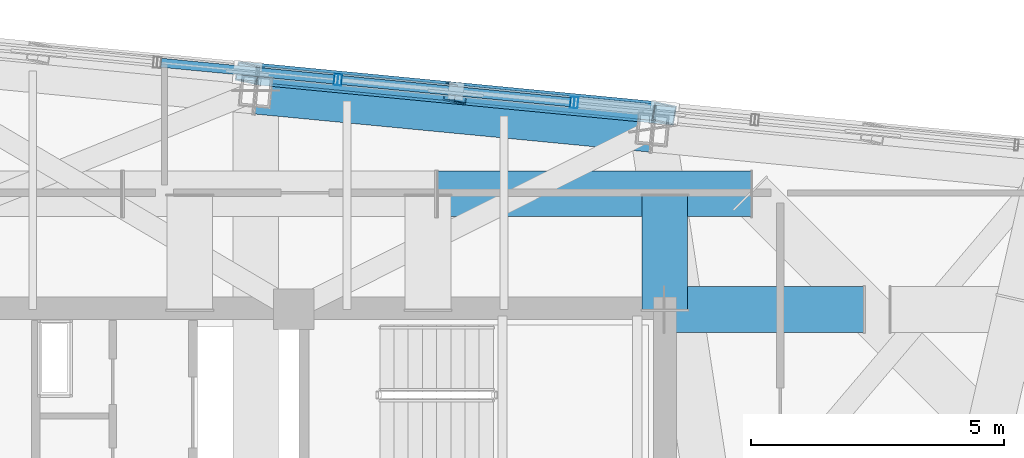
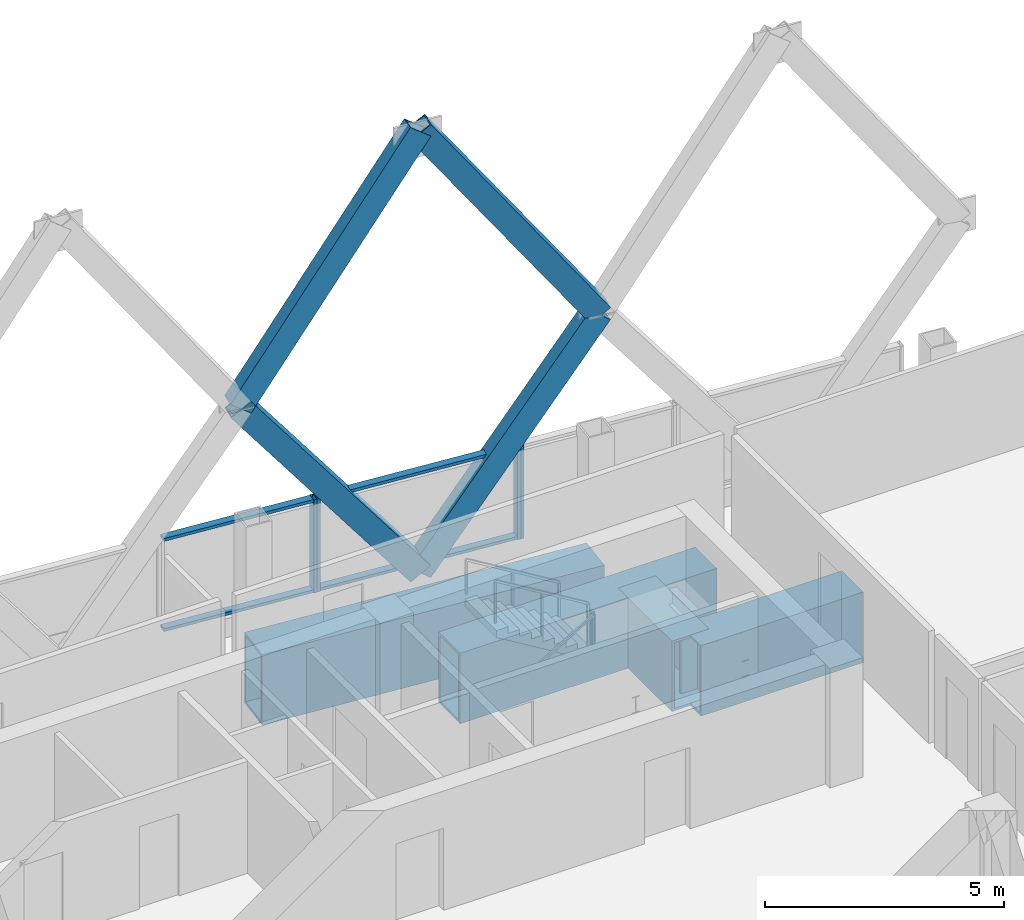
# One storey, part 21 of 31: 12 members, 4 beams, 3 elements without a shape of their own.
"""IFC4 building model written with IfcOpenShell, lengths in metres."""

from ifc_helpers import new_model, si_unit, direction, frame, origin, origin_2d, place, context, subcontext, project, spatial, hollow_rectangle, extrude, material, layer, layer_set, material_profile, profile_set, type_object, element, aggregate, save


model = new_model("IFC4")

# Units and contexts
model_context = context("Model", 3, precision=1e-05, world=origin(), true_north=direction((0.0, 1.0)))
body_context = subcontext(model_context, "Body", "Model", "MODEL_VIEW")
ifc_project = project(units=[si_unit("LENGTHUNIT", "METRE"), si_unit("AREAUNIT", "SQUARE_METRE"), si_unit("VOLUMEUNIT", "CUBIC_METRE"), si_unit("PLANEANGLEUNIT", "RADIAN"), si_unit("MASSUNIT", "GRAM", prefix="KILO")], contexts=[model_context])

# Site, building, storey
site_placement = place(None, origin())
site = spatial("IfcSite", under=ifc_project, at=site_placement, CompositionType="ELEMENT")
building_placement = place(site_placement, origin())
building = spatial("IfcBuilding", under=site, at=building_placement, Name="Qhalaya Broadcast Tower", CompositionType="ELEMENT")
storey_placement = place(building_placement, frame((0.0, 0.0, 242.85009765625)))
storey = spatial("IfcBuildingStorey", under=building, at=storey_placement, Name="L71", CompositionType="ELEMENT", Elevation=242.85009765625)

# Beams
ifc_material_1 = material(Name="Structural Steel ASTM A572 Grade 50", Category="steel")
ifc_material_profile_1 = material_profile(ifc_material_1, hollow_rectangle(XDim=0.89990234375, YDim=1.800048828125, WallThickness=0.06005859375, at=origin_2d()), Name="BOX 900x1800x60")
ifc_profile_set_1 = profile_set([ifc_material_profile_1], Name="Structural Steel ASTM A572 Grade 50")
beam_type = type_object("IfcBeamType", Name="Block Cantilever Transfer Box Girder TG1", PredefinedType="USERDEFINED", material=ifc_profile_set_1)
beam_1_placement = place(storey_placement, frame((9.132568359375, 13.50244140625, -1.090087890625), z_axis=(-0.995397308407, 0.095834223619, 0.0), x_axis=(-0.095834223619, -0.995397308407, 0.0)))
element("IfcBeam", 1, at=beam_1_placement, inside=storey, type_object=beam_type, Name="L71 TG1 L71-SPR-10", ObjectType="GIRDER", PredefinedType="USERDEFINED", context=body_context, shape_type="SweptSolid", body=[
    extrude(hollow_rectangle(XDim=0.89990234375, YDim=1.800048828125, WallThickness=0.06005859375, at=origin_2d()), origin(), (0.0, 0.0, 1.0), 7.86669921875),
])
beam_2_placement = place(storey_placement, frame((11.070068359375, 12.22998046875, -1.090087890625), z_axis=(-1.0, 0.0, 0.0), x_axis=(0.0, -1.0, 0.0)))
element("IfcBeam", 2, at=beam_2_placement, inside=storey, type_object=beam_type, Name="L71 TG1 L71-TGL-09", ObjectType="GIRDER", PredefinedType="USERDEFINED", context=body_context, shape_type="SweptSolid", body=[
    extrude(hollow_rectangle(XDim=0.89990234375, YDim=1.800048828125, WallThickness=0.06005859375, at=origin_2d()), origin(), (0.0, 0.0, 1.0), 6.199951171875),
])
beam_3_placement = place(storey_placement, frame((9.375, 9.949951171875, -1.090087890625), z_axis=(0.0, 1.0, 0.0), x_axis=(-1.0, 0.0, 0.0)))
element("IfcBeam", 3, at=beam_3_placement, inside=storey, type_object=beam_type, Name="L71 TG1 L71-TGINE-1", ObjectType="GIRDER", PredefinedType="USERDEFINED", context=body_context, shape_type="SweptSolid", body=[
    extrude(hollow_rectangle(XDim=0.89990234375, YDim=1.800048828125, WallThickness=0.06005859375, at=origin_2d()), origin(), (0.0, 0.0, 1.0), 2.239990234375),
])
beam_4_placement = place(storey_placement, frame((9.375, 9.949951171875, -1.090087890625), z_axis=(1.0, 0.0, 0.0), x_axis=(0.0, 1.0, 0.0)))
element("IfcBeam", 4, at=beam_4_placement, inside=storey, type_object=beam_type, Name="L71 TG1 L71-TGIY4E-1", ObjectType="GIRDER", PredefinedType="USERDEFINED", context=body_context, shape_type="SweptSolid", body=[
    extrude(hollow_rectangle(XDim=0.89990234375, YDim=1.800048828125, WallThickness=0.06005859375, at=origin_2d()), origin(), (0.0, 0.0, 1.0), 3.91845703125),
])

# Members
ifc_material_profile_2 = material_profile(ifc_material_1, hollow_rectangle(XDim=0.3798828125, YDim=0.550048828125, WallThickness=0.02490234375, at=origin_2d()), Name="BOX 380x550x25")
ifc_profile_set_2 = profile_set([ifc_material_profile_2], Name="Structural Steel ASTM A572 Grade 50")
member_type_1 = type_object("IfcMemberType", Name="Exoskeleton Diamond Diagonal Upper EX4", PredefinedType="BRACE", material=ifc_profile_set_2)
for number, where, z_axis, x_axis, name in (
    (5, (5.25, 14.218017578125, 0.35986328125), (0.605362942159, -0.058301925892, 0.793811434597), (0.171157163881, 0.983517925101, -0.058289932722), "B6 Exoskeleton Diamond Brace N2-D1"),
    (6, (5.25, 14.218017578125, 0.35986328125), (-0.605386966932, 0.058264858504, 0.793795834288), (-0.171092283677, -0.983529098038, -0.058291884324), "B6 Exoskeleton Diamond Brace N2-D2"),
):
    element("IfcMember", number, at=place(storey_placement, frame(where, z_axis=z_axis, x_axis=x_axis)), inside=storey, type_object=member_type_1, Name=name, PredefinedType="BRACE", context=body_context, shape_type="SweptSolid", body=[
        extrude(hollow_rectangle(XDim=0.3798828125, YDim=0.550048828125, WallThickness=0.02490234375, at=origin_2d()), origin(), (0.0, 0.0, 1.0), 6.79638671875),
    ])
for number, where, z_axis, x_axis, name in (
    (7, (9.3642578125, 13.82177734375, 5.7548828125), (-0.572753444041, 0.055161336321, 0.817869622443), (-0.173452418829, -0.983296871293, -0.055149989195), "B6 Exoskeleton Diamond Brace N2-D3"),
    (8, (1.135498046875, 14.614013671875, 5.7548828125), (0.572777354699, -0.055126379239, 0.81785523429), (0.173387668513, 0.983308181038, -0.055151949294), "B6 Exoskeleton Diamond Brace N2-D4"),
):
    element("IfcMember", number, at=place(storey_placement, frame(where, z_axis=z_axis, x_axis=x_axis)), inside=storey, type_object=member_type_1, Name=name, PredefinedType="BRACE", context=body_context, shape_type="SweptSolid", body=[
        extrude(hollow_rectangle(XDim=0.3798828125, YDim=0.550048828125, WallThickness=0.02490234375, at=origin_2d()), origin(), (0.0, 0.0, 1.0), 7.183349609375),
    ])

# Curtain wall, member
ifc_material_2 = material(Name="Solar-Control Low-E Triple Glazing", Category="glass")
ifc_layer_1 = layer(ifc_material_2, 0.219970703125, Name="Solar-Control Low-E Triple Glazing")
ifc_layer_set_1 = layer_set([ifc_layer_1], Name="Solar-Control Low-E Triple Glazing")
curtain_wall_type_1 = type_object("IfcCurtainWallType", Name="High-Altitude Upper-Shaft Triple Low-E Curtain Wall CW-04", PredefinedType="NOTDEFINED", material=ifc_layer_set_1)
curtain_wall_1_placement = place(storey_placement, origin())
curtain_wall_1 = element("IfcCurtainWall", 9, at=curtain_wall_1_placement, inside=storey, type_object=curtain_wall_type_1, Name="L71 Unitised Curtain Wall L71-CW-N2", PredefinedType="NOTDEFINED")
ifc_material_3 = material(Name="Anodised Aluminium 6063-T6", Category="aluminium")
ifc_material_profile_3 = material_profile(ifc_material_3, hollow_rectangle(XDim=0.074951171875, YDim=0.219970703125, WallThickness=0.00390625, at=origin_2d()), Name="ALU-MUL 75x220x4")
ifc_profile_set_3 = profile_set([ifc_material_profile_3], Name="Anodised Aluminium 6063-T6")
member_type_2 = type_object("IfcMemberType", Name="Unitised Curtain-Wall Mullion M01", PredefinedType="MULLION", material=ifc_profile_set_3)
member_1_placement = place(storey_placement, frame((7.623291015625, 14.029541015625, 0.47998046875), z_axis=(0.0, 0.0, 1.0), x_axis=(-0.995397049282, 0.095836915023, 0.0)))
member_1 = element("IfcMember", 10, at=member_1_placement, type_object=member_type_2, Name="CW-04 mullion 2", PredefinedType="MULLION", context=body_context, shape_type="SweptSolid", body=[
    extrude(hollow_rectangle(XDim=0.074951171875, YDim=0.219970703125, WallThickness=0.00390625, at=origin_2d()), origin(), (0.0, 0.0, 1.0), 2.3798828125),
])
aggregate(curtain_wall_1, [member_1])

# Curtain wall, members
ifc_material_4 = material(Name="Fired Architectural Terracotta", Category="masonry")
ifc_layer_2 = layer(ifc_material_4, 0.219970703125, Name="Fired Architectural Terracotta")
ifc_layer_set_2 = layer_set([ifc_layer_2], Name="Fired Architectural Terracotta")
curtain_wall_type_2 = type_object("IfcCurtainWallType", Name="Block-Cap Unitised Terracotta Spandrel Wall CW-07", PredefinedType="NOTDEFINED", material=ifc_layer_set_2)
curtain_wall_2_placement = place(storey_placement, origin())
curtain_wall_2 = element("IfcCurtainWall", 11, at=curtain_wall_2_placement, inside=storey, type_object=curtain_wall_type_2, Name="L71 Unitised Curtain Wall L71-CW-N3", PredefinedType="NOTDEFINED")
member_2_placement = place(storey_placement, frame((7.548583984375, 14.03662109375, 0.47998046875), z_axis=(0.0, 0.0, 1.0), x_axis=(-0.995394786046, 0.095860418903, 0.0)))
member_2 = element("IfcMember", 12, at=member_2_placement, type_object=member_type_2, Name="CW-07 mullion 1", PredefinedType="MULLION", context=body_context, shape_type="SweptSolid", body=[
    extrude(hollow_rectangle(XDim=0.074951171875, YDim=0.219970703125, WallThickness=0.00390625, at=origin_2d()), origin(), (0.0, 0.0, 1.0), 2.3798828125),
])
member_3_placement = place(storey_placement, frame((2.958740234375, 14.478759765625, 0.47998046875), z_axis=(0.0, 0.0, 1.0), x_axis=(-0.995394786046, 0.095860418903, 0.0)))
member_3 = element("IfcMember", 13, at=member_3_placement, type_object=member_type_2, Name="CW-07 mullion 2", PredefinedType="MULLION", context=body_context, shape_type="SweptSolid", body=[
    extrude(hollow_rectangle(XDim=0.074951171875, YDim=0.219970703125, WallThickness=0.00390625, at=origin_2d()), origin(), (0.0, 0.0, 1.0), 2.3798828125),
])

# Curtain wall, member
curtain_wall_3_placement = place(storey_placement, origin())
curtain_wall_3 = element("IfcCurtainWall", 14, at=curtain_wall_3_placement, inside=storey, type_object=curtain_wall_type_1, Name="L71 Unitised Curtain Wall L71-CW-N4", PredefinedType="NOTDEFINED")
member_4_placement = place(storey_placement, frame((2.88427734375, 14.48583984375, 0.47998046875), z_axis=(0.0, 0.0, 1.0), x_axis=(-0.995396792791, 0.095839578992, 0.0)))
member_4 = element("IfcMember", 15, at=member_4_placement, type_object=member_type_2, Name="CW-04 mullion 1", PredefinedType="MULLION", context=body_context, shape_type="SweptSolid", body=[
    extrude(hollow_rectangle(XDim=0.074951171875, YDim=0.219970703125, WallThickness=0.00390625, at=origin_2d()), origin(), (0.0, 0.0, 1.0), 2.3798828125),
])

# Member
ifc_material_profile_4 = material_profile(ifc_material_3, hollow_rectangle(XDim=0.074951171875, YDim=0.179931640625, WallThickness=0.00390625, at=origin_2d()), Name="ALU-TRN 75x180x4")
ifc_profile_set_4 = profile_set([ifc_material_profile_4], Name="Anodised Aluminium 6063-T6")
member_type_3 = type_object("IfcMemberType", Name="Unitised Curtain-Wall Transom T01", PredefinedType="USERDEFINED", material=ifc_profile_set_4)
member_5_placement = place(storey_placement, frame((7.51123046875, 14.040283203125, 0.517333984375), z_axis=(-0.995395015501, 0.095858036261, 0.0), x_axis=(0.0, 0.0, 1.0)))
member_5 = element("IfcMember", 16, at=member_5_placement, type_object=member_type_3, Name="CW-07 transom 1.1", ObjectType="TRANSOM", PredefinedType="USERDEFINED", context=body_context, shape_type="SweptSolid", body=[
    extrude(hollow_rectangle(XDim=0.074951171875, YDim=0.179931640625, WallThickness=0.00390625, at=origin_2d()), origin(), (0.0, 0.0, 1.0), 4.5361328125),
])

member_6_placement = place(storey_placement, frame((7.51123046875, 14.040283203125, 2.822509765625), z_axis=(-0.995395015501, 0.095858036261, 0.0), x_axis=(0.0, 0.0, 1.0)))
member_6 = element("IfcMember", 17, at=member_6_placement, type_object=member_type_3, Name="CW-07 transom 1.2", ObjectType="TRANSOM", PredefinedType="USERDEFINED", context=body_context, shape_type="SweptSolid", body=[
    extrude(hollow_rectangle(XDim=0.074951171875, YDim=0.179931640625, WallThickness=0.00390625, at=origin_2d()), origin(), (0.0, 0.0, 1.0), 4.5361328125),
])

aggregate(curtain_wall_2, [member_2, member_3, member_5, member_6])

member_7_placement = place(storey_placement, frame((2.846923828125, 14.489501953125, 0.517333984375), z_axis=(-0.995396113477, 0.095846634131, 0.0), x_axis=(0.0, 0.0, 1.0)))
member_7 = element("IfcMember", 18, at=member_7_placement, type_object=member_type_3, Name="CW-04 transom 1.1", ObjectType="TRANSOM", PredefinedType="USERDEFINED", context=body_context, shape_type="SweptSolid", body=[
    extrude(hollow_rectangle(XDim=0.074951171875, YDim=0.179931640625, WallThickness=0.00390625, at=origin_2d()), origin(), (0.0, 0.0, 1.0), 3.43115234375),
])

member_8_placement = place(storey_placement, frame((2.846923828125, 14.489501953125, 2.822509765625), z_axis=(-0.995396113477, 0.095846634131, 0.0), x_axis=(0.0, 0.0, 1.0)))
member_8 = element("IfcMember", 19, at=member_8_placement, type_object=member_type_3, Name="CW-04 transom 1.2", ObjectType="TRANSOM", PredefinedType="USERDEFINED", context=body_context, shape_type="SweptSolid", body=[
    extrude(hollow_rectangle(XDim=0.074951171875, YDim=0.179931640625, WallThickness=0.00390625, at=origin_2d()), origin(), (0.0, 0.0, 1.0), 3.43115234375),
])

aggregate(curtain_wall_3, [member_4, member_7, member_8])

save(model, "model.ifc")
